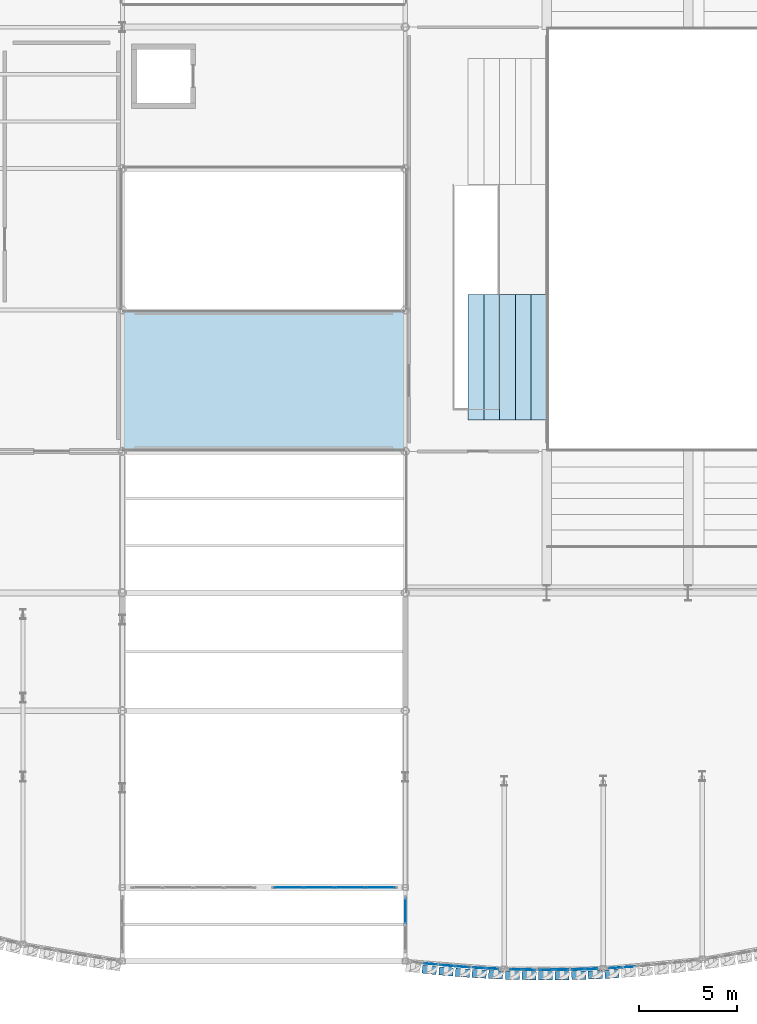
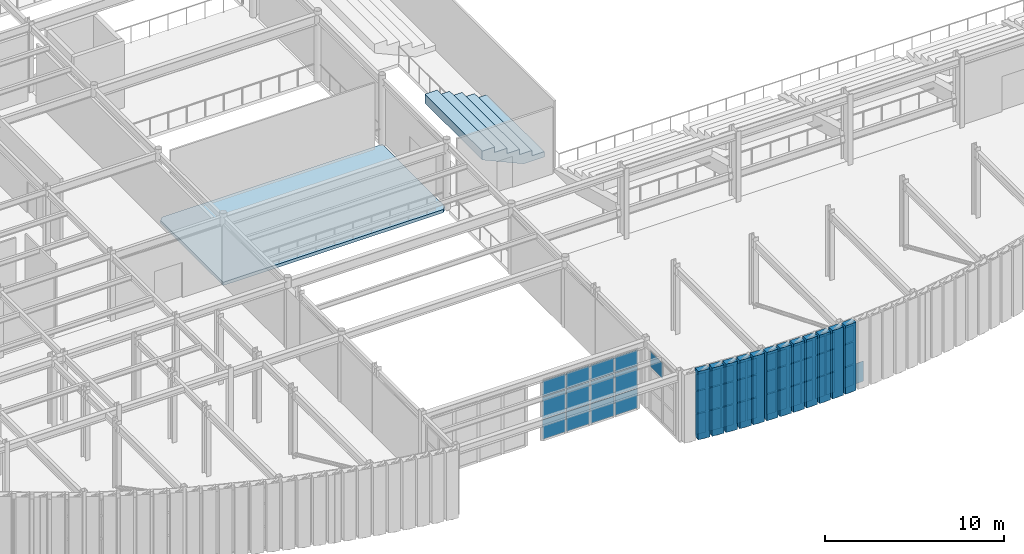
# One storey, part 83 of 121: 62 plates, 2 slabs, 9 elements without a shape of their own.
"""IFC4 building model written with IfcOpenShell, lengths in metres."""

from ifc_helpers import new_model, si_unit, direction, frame, origin, origin_2d, place, context, subcontext, project, spatial, polyline, rectangle, outline, extrude, material, layer, layer_set, type_object, element, aggregate, save


model = new_model("IFC4")

# Units and contexts
model_context = context("Model", 3, precision=1e-05, world=origin(), true_north=direction((0.0, 1.0)))
body_context = subcontext(model_context, "Body", "Model", "MODEL_VIEW")
ifc_project = project(units=[si_unit("LENGTHUNIT", "METRE"), si_unit("AREAUNIT", "SQUARE_METRE"), si_unit("VOLUMEUNIT", "CUBIC_METRE"), si_unit("PLANEANGLEUNIT", "RADIAN"), si_unit("MASSUNIT", "GRAM", prefix="KILO")], contexts=[model_context])

# Site, building, storey
site_placement = place(None, origin())
site = spatial("IfcSite", under=ifc_project, at=site_placement, CompositionType="ELEMENT")
building_placement = place(site_placement, origin())
building = spatial("IfcBuilding", under=site, at=building_placement, Name="Solvadek Multi-Sports Hall", CompositionType="ELEMENT")
storey_placement = place(building_placement, frame((0.0, 0.0, 4.800048828125)))
storey = spatial("IfcBuildingStorey", under=building, at=storey_placement, Name="L01", CompositionType="ELEMENT", Elevation=4.800048828125)

# Curtain wall, plates
ifc_material_1 = material(Name="Anodised aluminium", Category="aluminium")
ifc_layer_1 = layer(ifc_material_1, 0.159912109375, Name="Anodised aluminium")
ifc_layer_set_1 = layer_set([ifc_layer_1], Name="Anodised aluminium")
curtain_wall_type_1 = type_object("IfcCurtainWallType", Name="ENV-CW-142X420", PredefinedType="USERDEFINED", material=ifc_layer_set_1)
curtain_wall_1_placement = place(storey_placement, origin())
curtain_wall_1 = element("IfcCurtainWall", 1, at=curtain_wall_1_placement, inside=storey, type_object=curtain_wall_type_1, Name="L01 Crescent Curved Curtain Wall #55", ObjectType="CURTAIN WALL", PredefinedType="USERDEFINED")
ifc_material_2 = material(Name="Tempered laminated low-E glass", Category="glass")
ifc_layer_2 = layer(ifc_material_2, 0.02392578125, Name="Tempered laminated low-E glass")
ifc_layer_set_2 = layer_set([ifc_layer_2], Name="Tempered laminated low-E glass")
plate_type_1 = type_object("IfcPlateType", Name="ENV-CWP-01", PredefinedType="CURTAIN_PANEL", material=ifc_layer_set_2)
plate_1_placement = place(storey_placement, frame((87.682373046875, -12.893798828125, 0.06005859375), z_axis=(0.0, 0.0, 1.0), x_axis=(0.994010171032, -0.109287601694, 0.0)))
plate_1 = element("IfcPlate", 2, at=plate_1_placement, type_object=plate_type_1, Name="CW-27 panel 2.1", PredefinedType="CURTAIN_PANEL", context=body_context, shape_type="SweptSolid", body=[
    extrude(rectangle(XDim=0.6201171875, YDim=0.02392578125, at=origin_2d()), origin(), (0.0, 0.0, 1.0), 1.3798828125),
])
plate_2_placement = place(storey_placement, frame((87.682373046875, -12.893798828125, 1.5), z_axis=(0.0, 0.0, 1.0), x_axis=(0.994010171032, -0.109287601694, 0.0)))
plate_2 = element("IfcPlate", 3, at=plate_2_placement, type_object=plate_type_1, Name="CW-27 panel 2.2", PredefinedType="CURTAIN_PANEL", context=body_context, shape_type="SweptSolid", body=[
    extrude(rectangle(XDim=0.6201171875, YDim=0.02392578125, at=origin_2d()), origin(), (0.0, 0.0, 1.0), 1.493896484375),
])
plate_3_placement = place(storey_placement, frame((87.682373046875, -12.893798828125, 3.053955078125), z_axis=(0.0, 0.0, 1.0), x_axis=(0.994010171032, -0.109287601694, 0.0)))
plate_3 = element("IfcPlate", 4, at=plate_3_placement, type_object=plate_type_1, Name="CW-27 panel 2.3", PredefinedType="CURTAIN_PANEL", context=body_context, shape_type="SweptSolid", body=[
    extrude(rectangle(XDim=0.6201171875, YDim=0.02392578125, at=origin_2d()), origin(), (0.0, 0.0, 1.0), 1.0859375),
])
aggregate(curtain_wall_1, [plate_1, plate_2, plate_3])

ifc_layer_3 = layer(ifc_material_1, 0.159912109375, Name="Anodised aluminium")
ifc_layer_set_3 = layer_set([ifc_layer_3], Name="Anodised aluminium")
curtain_wall_type_2 = type_object("IfcCurtainWallType", Name="ENV-CW-141X420", PredefinedType="USERDEFINED", material=ifc_layer_set_3)
curtain_wall_2_placement = place(storey_placement, origin())
curtain_wall_2 = element("IfcCurtainWall", 5, at=curtain_wall_2_placement, inside=storey, type_object=curtain_wall_type_2, Name="L01 Crescent Curved Curtain Wall #67", ObjectType="CURTAIN WALL", PredefinedType="USERDEFINED")
plate_4_placement = place(storey_placement, frame((97.087158203125, -13.08984375, 0.06494140625), z_axis=(0.0, 0.0, 1.0), x_axis=(0.997952783049, 0.063955006096, 0.0)))
plate_4 = element("IfcPlate", 6, at=plate_4_placement, type_object=plate_type_1, Name="CW-28 panel 1.1", PredefinedType="CURTAIN_PANEL", context=body_context, shape_type="SweptSolid", body=[
    extrude(rectangle(XDim=0.61669921875, YDim=0.02392578125, at=origin_2d()), origin(), (0.0, 0.0, 1.0), 1.37255859375),
])
plate_5_placement = place(storey_placement, frame((97.087158203125, -13.08984375, 1.50244140625), z_axis=(0.0, 0.0, 1.0), x_axis=(0.997952783049, 0.063955006096, 0.0)))
plate_5 = element("IfcPlate", 7, at=plate_5_placement, type_object=plate_type_1, Name="CW-28 panel 1.2", PredefinedType="CURTAIN_PANEL", context=body_context, shape_type="SweptSolid", body=[
    extrude(rectangle(XDim=0.61669921875, YDim=0.02392578125, at=origin_2d()), origin(), (0.0, 0.0, 1.0), 1.489013671875),
])
plate_6_placement = place(storey_placement, frame((97.087158203125, -13.08984375, 3.056396484375), z_axis=(0.0, 0.0, 1.0), x_axis=(0.997952783049, 0.063955006096, 0.0)))
plate_6 = element("IfcPlate", 8, at=plate_6_placement, type_object=plate_type_1, Name="CW-28 panel 1.3", PredefinedType="CURTAIN_PANEL", context=body_context, shape_type="SweptSolid", body=[
    extrude(rectangle(XDim=0.61669921875, YDim=0.02392578125, at=origin_2d()), origin(), (0.0, 0.0, 1.0), 1.07861328125),
])
plate_7_placement = place(storey_placement, frame((97.762451171875, -13.046630859375, 0.06494140625), z_axis=(0.0, 0.0, 1.0), x_axis=(0.997952783049, 0.063955006096, 0.0)))
plate_7 = element("IfcPlate", 9, at=plate_7_placement, type_object=plate_type_1, Name="CW-28 panel 2.1", PredefinedType="CURTAIN_PANEL", context=body_context, shape_type="SweptSolid", body=[
    extrude(rectangle(XDim=0.61669921875, YDim=0.02392578125, at=origin_2d()), origin(), (0.0, 0.0, 1.0), 1.37255859375),
])
aggregate(curtain_wall_2, [plate_4, plate_5, plate_6, plate_7])

ifc_layer_4 = layer(ifc_material_1, 0.159912109375, Name="Anodised aluminium")
ifc_layer_set_4 = layer_set([ifc_layer_4], Name="Anodised aluminium")
curtain_wall_type_3 = type_object("IfcCurtainWallType", Name="ENV-CW-163X420", PredefinedType="USERDEFINED", material=ifc_layer_set_4)
curtain_wall_3_placement = place(storey_placement, origin())
curtain_wall_3 = element("IfcCurtainWall", 10, at=curtain_wall_3_placement, inside=storey, type_object=curtain_wall_type_3, Name="L01 Crescent Curved Curtain Wall #57", ObjectType="CURTAIN WALL", PredefinedType="USERDEFINED")
ifc_layer_5 = layer(ifc_material_2, 0.028076171875, Name="Tempered laminated low-E glass")
ifc_layer_set_5 = layer_set([ifc_layer_5], Name="Tempered laminated low-E glass")
plate_type_2 = type_object("IfcPlateType", Name="ENV-CWP-02", PredefinedType="CURTAIN_PANEL", material=ifc_layer_set_5)
plate_8_placement = place(storey_placement, frame((88.52978515625, -12.973876953125, 0.06005859375), z_axis=(0.0, 0.0, 1.0), x_axis=(0.996757114015, -0.080468973281, 0.0)))
plate_8 = element("IfcPlate", 11, at=plate_8_placement, type_object=plate_type_2, Name="CW-15 panel 1.1", PredefinedType="CURTAIN_PANEL", context=body_context, shape_type="SweptSolid", body=[
    extrude(rectangle(XDim=0.72265625, YDim=0.028076171875, at=origin_2d()), origin(), (0.0, 0.0, 1.0), 1.3798828125),
])
plate_9_placement = place(storey_placement, frame((88.52978515625, -12.973876953125, 1.5), z_axis=(0.0, 0.0, 1.0), x_axis=(0.996757114015, -0.080468973281, 0.0)))
plate_9 = element("IfcPlate", 12, at=plate_9_placement, type_object=plate_type_2, Name="CW-15 panel 1.2", PredefinedType="CURTAIN_PANEL", context=body_context, shape_type="SweptSolid", body=[
    extrude(rectangle(XDim=0.72265625, YDim=0.028076171875, at=origin_2d()), origin(), (0.0, 0.0, 1.0), 1.493896484375),
])
plate_10_placement = place(storey_placement, frame((88.52978515625, -12.973876953125, 3.053955078125), z_axis=(0.0, 0.0, 1.0), x_axis=(0.996757114015, -0.080468973281, 0.0)))
plate_10 = element("IfcPlate", 13, at=plate_10_placement, type_object=plate_type_2, Name="CW-15 panel 1.3", PredefinedType="CURTAIN_PANEL", context=body_context, shape_type="SweptSolid", body=[
    extrude(rectangle(XDim=0.72265625, YDim=0.028076171875, at=origin_2d()), origin(), (0.0, 0.0, 1.0), 1.0859375),
])
plate_11_placement = place(storey_placement, frame((89.31005859375, -13.036865234375, 0.06005859375), z_axis=(0.0, 0.0, 1.0), x_axis=(0.996757114015, -0.080468973281, 0.0)))
plate_11 = element("IfcPlate", 14, at=plate_11_placement, type_object=plate_type_2, Name="CW-15 panel 2.1", PredefinedType="CURTAIN_PANEL", context=body_context, shape_type="SweptSolid", body=[
    extrude(rectangle(XDim=0.72265625, YDim=0.028076171875, at=origin_2d()), origin(), (0.0, 0.0, 1.0), 1.3798828125),
])
plate_12_placement = place(storey_placement, frame((89.31005859375, -13.036865234375, 1.5), z_axis=(0.0, 0.0, 1.0), x_axis=(0.996757114015, -0.080468973281, 0.0)))
plate_12 = element("IfcPlate", 15, at=plate_12_placement, type_object=plate_type_2, Name="CW-15 panel 2.2", PredefinedType="CURTAIN_PANEL", context=body_context, shape_type="SweptSolid", body=[
    extrude(rectangle(XDim=0.72265625, YDim=0.028076171875, at=origin_2d()), origin(), (0.0, 0.0, 1.0), 1.493896484375),
])
plate_13_placement = place(storey_placement, frame((89.31005859375, -13.036865234375, 3.053955078125), z_axis=(0.0, 0.0, 1.0), x_axis=(0.996757114015, -0.080468973281, 0.0)))
plate_13 = element("IfcPlate", 16, at=plate_13_placement, type_object=plate_type_2, Name="CW-15 panel 2.3", PredefinedType="CURTAIN_PANEL", context=body_context, shape_type="SweptSolid", body=[
    extrude(rectangle(XDim=0.72265625, YDim=0.028076171875, at=origin_2d()), origin(), (0.0, 0.0, 1.0), 1.0859375),
])
aggregate(curtain_wall_3, [plate_8, plate_9, plate_10, plate_11, plate_12, plate_13])

# Curtain wall, plate
ifc_layer_6 = layer(ifc_material_1, 0.159912109375, Name="Anodised aluminium")
ifc_layer_set_6 = layer_set([ifc_layer_6], Name="Anodised aluminium")
curtain_wall_type_4 = type_object("IfcCurtainWallType", Name="ENV-CW-279X413", PredefinedType="USERDEFINED", material=ifc_layer_set_6)
curtain_wall_4_placement = place(storey_placement, origin())
curtain_wall_4 = element("IfcCurtainWall", 17, at=curtain_wall_4_placement, inside=storey, type_object=curtain_wall_type_4, Name="L01 Perimeter Bay Curtain Wall #122", ObjectType="CURTAIN WALL", PredefinedType="USERDEFINED")
plate_14_placement = place(storey_placement, frame((86.39990234375, -10.193115234375, 3.0), z_axis=(0.0, 0.0, 1.0), x_axis=(0.0, 1.0, 0.0)))
plate_14 = element("IfcPlate", 18, at=plate_14_placement, type_object=plate_type_2, Name="CW-41 panel 2.3", PredefinedType="CURTAIN_PANEL", context=body_context, shape_type="SweptSolid", body=[
    extrude(rectangle(XDim=1.306396484375, YDim=0.028076171875, at=origin_2d()), origin(), (0.0, 0.0, 1.0), 1.06494140625),
])
aggregate(curtain_wall_4, [plate_14])

# Curtain wall, plates
curtain_wall_5_placement = place(storey_placement, origin())
curtain_wall_5 = element("IfcCurtainWall", 19, at=curtain_wall_5_placement, inside=storey, type_object=curtain_wall_type_2, Name="L01 Crescent Curved Curtain Wall #59", ObjectType="CURTAIN WALL", PredefinedType="USERDEFINED")
ifc_layer_7 = layer(ifc_material_2, 0.031982421875, Name="Tempered laminated low-E glass")
ifc_layer_set_7 = layer_set([ifc_layer_7], Name="Tempered laminated low-E glass")
plate_type_3 = type_object("IfcPlateType", Name="ENV-CWP-03", PredefinedType="CURTAIN_PANEL", material=ifc_layer_set_7)
plate_15_placement = place(storey_placement, frame((90.15869140625, -13.09375, 0.06494140625), z_axis=(0.0, 0.0, 1.0), x_axis=(0.998670333038, -0.051551584948, 0.0)))
plate_15 = element("IfcPlate", 20, at=plate_15_placement, type_object=plate_type_3, Name="CW-28 panel 1.1", PredefinedType="CURTAIN_PANEL", context=body_context, shape_type="SweptSolid", body=[
    extrude(rectangle(XDim=0.608642578125, YDim=0.031982421875, at=origin_2d()), origin(), (0.0, 0.0, 1.0), 1.37255859375),
])
plate_16_placement = place(storey_placement, frame((90.15869140625, -13.09375, 1.50244140625), z_axis=(0.0, 0.0, 1.0), x_axis=(0.998670333038, -0.051551584948, 0.0)))
plate_16 = element("IfcPlate", 21, at=plate_16_placement, type_object=plate_type_3, Name="CW-28 panel 1.2", PredefinedType="CURTAIN_PANEL", context=body_context, shape_type="SweptSolid", body=[
    extrude(rectangle(XDim=0.608642578125, YDim=0.031982421875, at=origin_2d()), origin(), (0.0, 0.0, 1.0), 1.489013671875),
])
plate_17_placement = place(storey_placement, frame((90.15869140625, -13.09375, 3.056396484375), z_axis=(0.0, 0.0, 1.0), x_axis=(0.998670333038, -0.051551584948, 0.0)))
plate_17 = element("IfcPlate", 22, at=plate_17_placement, type_object=plate_type_3, Name="CW-28 panel 1.3", PredefinedType="CURTAIN_PANEL", context=body_context, shape_type="SweptSolid", body=[
    extrude(rectangle(XDim=0.608642578125, YDim=0.031982421875, at=origin_2d()), origin(), (0.0, 0.0, 1.0), 1.07861328125),
])
plate_18_placement = place(storey_placement, frame((90.83154296875, -13.12841796875, 0.06494140625), z_axis=(0.0, 0.0, 1.0), x_axis=(0.998670333038, -0.051551584948, 0.0)))
plate_18 = element("IfcPlate", 23, at=plate_18_placement, type_object=plate_type_3, Name="CW-28 panel 2.1", PredefinedType="CURTAIN_PANEL", context=body_context, shape_type="SweptSolid", body=[
    extrude(rectangle(XDim=0.608642578125, YDim=0.031982421875, at=origin_2d()), origin(), (0.0, 0.0, 1.0), 1.37255859375),
])
plate_19_placement = place(storey_placement, frame((90.83154296875, -13.12841796875, 1.50244140625), z_axis=(0.0, 0.0, 1.0), x_axis=(0.998670333038, -0.051551584948, 0.0)))
plate_19 = element("IfcPlate", 24, at=plate_19_placement, type_object=plate_type_3, Name="CW-28 panel 2.2", PredefinedType="CURTAIN_PANEL", context=body_context, shape_type="SweptSolid", body=[
    extrude(rectangle(XDim=0.608642578125, YDim=0.031982421875, at=origin_2d()), origin(), (0.0, 0.0, 1.0), 1.489013671875),
])
plate_20_placement = place(storey_placement, frame((90.83154296875, -13.12841796875, 3.056396484375), z_axis=(0.0, 0.0, 1.0), x_axis=(0.998670333038, -0.051551584948, 0.0)))
plate_20 = element("IfcPlate", 25, at=plate_20_placement, type_object=plate_type_3, Name="CW-28 panel 2.3", PredefinedType="CURTAIN_PANEL", context=body_context, shape_type="SweptSolid", body=[
    extrude(rectangle(XDim=0.608642578125, YDim=0.031982421875, at=origin_2d()), origin(), (0.0, 0.0, 1.0), 1.07861328125),
])
aggregate(curtain_wall_5, [plate_15, plate_16, plate_17, plate_18, plate_19, plate_20])

ifc_layer_8 = layer(ifc_material_1, 0.159912109375, Name="Anodised aluminium")
ifc_layer_set_8 = layer_set([ifc_layer_8], Name="Anodised aluminium")
curtain_wall_type_5 = type_object("IfcCurtainWallType", Name="ENV-CW-624X410", PredefinedType="USERDEFINED", material=ifc_layer_set_8)
curtain_wall_6_placement = place(storey_placement, origin())
curtain_wall_6 = element("IfcCurtainWall", 26, at=curtain_wall_6_placement, inside=storey, type_object=curtain_wall_type_5, Name="L01 Perimeter Bay Curtain Wall #118", ObjectType="CURTAIN WALL", PredefinedType="USERDEFINED")
plate_21_placement = place(storey_placement, frame((80.476318359375, -9.0, 0.06494140625), z_axis=(0.0, 0.0, 1.0), x_axis=(1.0, 0.0, 0.0)))
plate_21 = element("IfcPlate", 27, at=plate_21_placement, type_object=plate_type_3, Name="CW-39 panel 1.1", PredefinedType="CURTAIN_PANEL", context=body_context, shape_type="SweptSolid", body=[
    extrude(rectangle(XDim=1.46240234375, YDim=0.031982421875, at=origin_2d()), origin(), (0.0, 0.0, 1.0), 1.33740234375),
])
plate_22_placement = place(storey_placement, frame((80.476318359375, -9.0, 1.46728515625), z_axis=(0.0, 0.0, 1.0), x_axis=(1.0, 0.0, 0.0)))
plate_22 = element("IfcPlate", 28, at=plate_22_placement, type_object=plate_type_3, Name="CW-39 panel 1.2", PredefinedType="CURTAIN_PANEL", context=body_context, shape_type="SweptSolid", body=[
    extrude(rectangle(XDim=1.46240234375, YDim=0.031982421875, at=origin_2d()), origin(), (0.0, 0.0, 1.0), 1.451904296875),
])
plate_23_placement = place(storey_placement, frame((80.476318359375, -9.0, 2.984375), z_axis=(0.0, 0.0, 1.0), x_axis=(1.0, 0.0, 0.0)))
plate_23 = element("IfcPlate", 29, at=plate_23_placement, type_object=plate_type_3, Name="CW-39 panel 1.3", PredefinedType="CURTAIN_PANEL", context=body_context, shape_type="SweptSolid", body=[
    extrude(rectangle(XDim=1.46240234375, YDim=0.031982421875, at=origin_2d()), origin(), (0.0, 0.0, 1.0), 1.050537109375),
])
plate_24_placement = place(storey_placement, frame((82.02001953125, -9.0, 0.06494140625), z_axis=(0.0, 0.0, 1.0), x_axis=(1.0, 0.0, 0.0)))
plate_24 = element("IfcPlate", 30, at=plate_24_placement, type_object=plate_type_3, Name="CW-39 panel 2.1", PredefinedType="CURTAIN_PANEL", context=body_context, shape_type="SweptSolid", body=[
    extrude(rectangle(XDim=1.4951171875, YDim=0.031982421875, at=origin_2d()), origin(), (0.0, 0.0, 1.0), 1.33740234375),
])
plate_25_placement = place(storey_placement, frame((82.02001953125, -9.0, 1.46728515625), z_axis=(0.0, 0.0, 1.0), x_axis=(1.0, 0.0, 0.0)))
plate_25 = element("IfcPlate", 31, at=plate_25_placement, type_object=plate_type_3, Name="CW-39 panel 2.2", PredefinedType="CURTAIN_PANEL", context=body_context, shape_type="SweptSolid", body=[
    extrude(rectangle(XDim=1.4951171875, YDim=0.031982421875, at=origin_2d()), origin(), (0.0, 0.0, 1.0), 1.451904296875),
])
plate_26_placement = place(storey_placement, frame((82.02001953125, -9.0, 2.984375), z_axis=(0.0, 0.0, 1.0), x_axis=(1.0, 0.0, 0.0)))
plate_26 = element("IfcPlate", 32, at=plate_26_placement, type_object=plate_type_3, Name="CW-39 panel 2.3", PredefinedType="CURTAIN_PANEL", context=body_context, shape_type="SweptSolid", body=[
    extrude(rectangle(XDim=1.4951171875, YDim=0.031982421875, at=origin_2d()), origin(), (0.0, 0.0, 1.0), 1.050537109375),
])
plate_27_placement = place(storey_placement, frame((83.580078125, -9.0, 0.06494140625), z_axis=(0.0, 0.0, 1.0), x_axis=(1.0, 0.0, 0.0)))
plate_27 = element("IfcPlate", 33, at=plate_27_placement, type_object=plate_type_3, Name="CW-39 panel 3.1", PredefinedType="CURTAIN_PANEL", context=body_context, shape_type="SweptSolid", body=[
    extrude(rectangle(XDim=1.4951171875, YDim=0.031982421875, at=origin_2d()), origin(), (0.0, 0.0, 1.0), 1.33740234375),
])
plate_28_placement = place(storey_placement, frame((83.580078125, -9.0, 1.46728515625), z_axis=(0.0, 0.0, 1.0), x_axis=(1.0, 0.0, 0.0)))
plate_28 = element("IfcPlate", 34, at=plate_28_placement, type_object=plate_type_3, Name="CW-39 panel 3.2", PredefinedType="CURTAIN_PANEL", context=body_context, shape_type="SweptSolid", body=[
    extrude(rectangle(XDim=1.4951171875, YDim=0.031982421875, at=origin_2d()), origin(), (0.0, 0.0, 1.0), 1.451904296875),
])
plate_29_placement = place(storey_placement, frame((83.580078125, -9.0, 2.984375), z_axis=(0.0, 0.0, 1.0), x_axis=(1.0, 0.0, 0.0)))
plate_29 = element("IfcPlate", 35, at=plate_29_placement, type_object=plate_type_3, Name="CW-39 panel 3.3", PredefinedType="CURTAIN_PANEL", context=body_context, shape_type="SweptSolid", body=[
    extrude(rectangle(XDim=1.4951171875, YDim=0.031982421875, at=origin_2d()), origin(), (0.0, 0.0, 1.0), 1.050537109375),
])
plate_30_placement = place(storey_placement, frame((85.123779296875, -9.0, 0.06494140625), z_axis=(0.0, 0.0, 1.0), x_axis=(1.0, 0.0, 0.0)))
plate_30 = element("IfcPlate", 36, at=plate_30_placement, type_object=plate_type_3, Name="CW-39 panel 4.1", PredefinedType="CURTAIN_PANEL", context=body_context, shape_type="SweptSolid", body=[
    extrude(rectangle(XDim=1.46240234375, YDim=0.031982421875, at=origin_2d()), origin(), (0.0, 0.0, 1.0), 1.33740234375),
])
plate_31_placement = place(storey_placement, frame((85.123779296875, -9.0, 1.46728515625), z_axis=(0.0, 0.0, 1.0), x_axis=(1.0, 0.0, 0.0)))
plate_31 = element("IfcPlate", 37, at=plate_31_placement, type_object=plate_type_3, Name="CW-39 panel 4.2", PredefinedType="CURTAIN_PANEL", context=body_context, shape_type="SweptSolid", body=[
    extrude(rectangle(XDim=1.46240234375, YDim=0.031982421875, at=origin_2d()), origin(), (0.0, 0.0, 1.0), 1.451904296875),
])
plate_32_placement = place(storey_placement, frame((85.123779296875, -9.0, 2.984375), z_axis=(0.0, 0.0, 1.0), x_axis=(1.0, 0.0, 0.0)))
plate_32 = element("IfcPlate", 38, at=plate_32_placement, type_object=plate_type_3, Name="CW-39 panel 4.3", PredefinedType="CURTAIN_PANEL", context=body_context, shape_type="SweptSolid", body=[
    extrude(rectangle(XDim=1.46240234375, YDim=0.031982421875, at=origin_2d()), origin(), (0.0, 0.0, 1.0), 1.050537109375),
])
aggregate(curtain_wall_6, [plate_21, plate_22, plate_23, plate_24, plate_25, plate_26, plate_27, plate_28, plate_29, plate_30, plate_31, plate_32])

curtain_wall_7_placement = place(storey_placement, origin())
curtain_wall_7 = element("IfcCurtainWall", 39, at=curtain_wall_7_placement, inside=storey, type_object=curtain_wall_type_2, Name="L01 Crescent Curved Curtain Wall #61", ObjectType="CURTAIN WALL", PredefinedType="USERDEFINED")
ifc_layer_9 = layer(ifc_material_2, 0.035888671875, Name="Tempered laminated low-E glass")
ifc_layer_set_9 = layer_set([ifc_layer_9], Name="Tempered laminated low-E glass")
plate_type_4 = type_object("IfcPlateType", Name="ENV-CWP-04", PredefinedType="CURTAIN_PANEL", material=ifc_layer_set_9)
plate_33_placement = place(storey_placement, frame((92.048583984375, -13.173583984375, 0.06494140625), z_axis=(0.0, 0.0, 1.0), x_axis=(0.999742603622, -0.022687584801, 0.0)))
plate_33 = element("IfcPlate", 40, at=plate_33_placement, type_object=plate_type_4, Name="CW-28 panel 1.1", PredefinedType="CURTAIN_PANEL", context=body_context, shape_type="SweptSolid", body=[
    extrude(rectangle(XDim=0.607666015625, YDim=0.035888671875, at=origin_2d()), origin(), (0.0, 0.0, 1.0), 1.37255859375),
])
plate_34_placement = place(storey_placement, frame((92.048583984375, -13.173583984375, 1.50244140625), z_axis=(0.0, 0.0, 1.0), x_axis=(0.999742603622, -0.022687584801, 0.0)))
plate_34 = element("IfcPlate", 41, at=plate_34_placement, type_object=plate_type_4, Name="CW-28 panel 1.2", PredefinedType="CURTAIN_PANEL", context=body_context, shape_type="SweptSolid", body=[
    extrude(rectangle(XDim=0.607666015625, YDim=0.035888671875, at=origin_2d()), origin(), (0.0, 0.0, 1.0), 1.489013671875),
])
plate_35_placement = place(storey_placement, frame((92.048583984375, -13.173583984375, 3.056396484375), z_axis=(0.0, 0.0, 1.0), x_axis=(0.999742603622, -0.022687584801, 0.0)))
plate_35 = element("IfcPlate", 42, at=plate_35_placement, type_object=plate_type_4, Name="CW-28 panel 1.3", PredefinedType="CURTAIN_PANEL", context=body_context, shape_type="SweptSolid", body=[
    extrude(rectangle(XDim=0.607666015625, YDim=0.035888671875, at=origin_2d()), origin(), (0.0, 0.0, 1.0), 1.07861328125),
])
plate_36_placement = place(storey_placement, frame((92.72119140625, -13.18896484375, 0.06494140625), z_axis=(0.0, 0.0, 1.0), x_axis=(0.999742603622, -0.022687584801, 0.0)))
plate_36 = element("IfcPlate", 43, at=plate_36_placement, type_object=plate_type_4, Name="CW-28 panel 2.1", PredefinedType="CURTAIN_PANEL", context=body_context, shape_type="SweptSolid", body=[
    extrude(rectangle(XDim=0.607666015625, YDim=0.035888671875, at=origin_2d()), origin(), (0.0, 0.0, 1.0), 1.37255859375),
])
plate_37_placement = place(storey_placement, frame((92.72119140625, -13.18896484375, 1.50244140625), z_axis=(0.0, 0.0, 1.0), x_axis=(0.999742603622, -0.022687584801, 0.0)))
plate_37 = element("IfcPlate", 44, at=plate_37_placement, type_object=plate_type_4, Name="CW-28 panel 2.2", PredefinedType="CURTAIN_PANEL", context=body_context, shape_type="SweptSolid", body=[
    extrude(rectangle(XDim=0.607666015625, YDim=0.035888671875, at=origin_2d()), origin(), (0.0, 0.0, 1.0), 1.489013671875),
])
plate_38_placement = place(storey_placement, frame((92.72119140625, -13.18896484375, 3.056396484375), z_axis=(0.0, 0.0, 1.0), x_axis=(0.999742603622, -0.022687584801, 0.0)))
plate_38 = element("IfcPlate", 45, at=plate_38_placement, type_object=plate_type_4, Name="CW-28 panel 2.3", PredefinedType="CURTAIN_PANEL", context=body_context, shape_type="SweptSolid", body=[
    extrude(rectangle(XDim=0.607666015625, YDim=0.035888671875, at=origin_2d()), origin(), (0.0, 0.0, 1.0), 1.07861328125),
])
aggregate(curtain_wall_7, [plate_33, plate_34, plate_35, plate_36, plate_37, plate_38])

ifc_layer_10 = layer(ifc_material_1, 0.159912109375, Name="Anodised aluminium")
ifc_layer_set_10 = layer_set([ifc_layer_10], Name="Anodised aluminium")
curtain_wall_type_6 = type_object("IfcCurtainWallType", Name="ENV-CW-162X420", PredefinedType="USERDEFINED", material=ifc_layer_set_10)
curtain_wall_8_placement = place(storey_placement, origin())
curtain_wall_8 = element("IfcCurtainWall", 46, at=curtain_wall_8_placement, inside=storey, type_object=curtain_wall_type_6, Name="L01 Crescent Curved Curtain Wall #63", ObjectType="CURTAIN WALL", PredefinedType="USERDEFINED")
ifc_layer_11 = layer(ifc_material_2, 0.0419921875, Name="Tempered laminated low-E glass")
ifc_layer_set_11 = layer_set([ifc_layer_11], Name="Tempered laminated low-E glass")
plate_type_5 = type_object("IfcPlateType", Name="ENV-CWP-05", PredefinedType="CURTAIN_PANEL", material=ifc_layer_set_11)
plate_39_placement = place(storey_placement, frame((93.572509765625, -13.1953125, 0.06005859375), z_axis=(0.0, 0.0, 1.0), x_axis=(0.999980948571, 0.0061727219, 0.0)))
plate_39 = element("IfcPlate", 47, at=plate_39_placement, type_object=plate_type_5, Name="CW-29 panel 1.1", PredefinedType="CURTAIN_PANEL", context=body_context, shape_type="SweptSolid", body=[
    extrude(rectangle(XDim=0.705078125, YDim=0.0419921875, at=origin_2d()), origin(), (0.0, 0.0, 1.0), 1.3798828125),
])
plate_40_placement = place(storey_placement, frame((93.572509765625, -13.1953125, 1.5), z_axis=(0.0, 0.0, 1.0), x_axis=(0.999980948571, 0.0061727219, 0.0)))
plate_40 = element("IfcPlate", 48, at=plate_40_placement, type_object=plate_type_5, Name="CW-29 panel 1.2", PredefinedType="CURTAIN_PANEL", context=body_context, shape_type="SweptSolid", body=[
    extrude(rectangle(XDim=0.705078125, YDim=0.0419921875, at=origin_2d()), origin(), (0.0, 0.0, 1.0), 1.493896484375),
])
plate_41_placement = place(storey_placement, frame((93.572509765625, -13.1953125, 3.053955078125), z_axis=(0.0, 0.0, 1.0), x_axis=(0.999980948571, 0.0061727219, 0.0)))
plate_41 = element("IfcPlate", 49, at=plate_41_placement, type_object=plate_type_5, Name="CW-29 panel 1.3", PredefinedType="CURTAIN_PANEL", context=body_context, shape_type="SweptSolid", body=[
    extrude(rectangle(XDim=0.705078125, YDim=0.0419921875, at=origin_2d()), origin(), (0.0, 0.0, 1.0), 1.0859375),
])
plate_42_placement = place(storey_placement, frame((94.347412109375, -13.1904296875, 0.06005859375), z_axis=(0.0, 0.0, 1.0), x_axis=(0.999980948571, 0.0061727219, 0.0)))
plate_42 = element("IfcPlate", 50, at=plate_42_placement, type_object=plate_type_5, Name="CW-29 panel 2.1", PredefinedType="CURTAIN_PANEL", context=body_context, shape_type="SweptSolid", body=[
    extrude(rectangle(XDim=0.705078125, YDim=0.0419921875, at=origin_2d()), origin(), (0.0, 0.0, 1.0), 1.3798828125),
])
plate_43_placement = place(storey_placement, frame((94.347412109375, -13.1904296875, 1.5), z_axis=(0.0, 0.0, 1.0), x_axis=(0.999980948571, 0.0061727219, 0.0)))
plate_43 = element("IfcPlate", 51, at=plate_43_placement, type_object=plate_type_5, Name="CW-29 panel 2.2", PredefinedType="CURTAIN_PANEL", context=body_context, shape_type="SweptSolid", body=[
    extrude(rectangle(XDim=0.705078125, YDim=0.0419921875, at=origin_2d()), origin(), (0.0, 0.0, 1.0), 1.493896484375),
])
plate_44_placement = place(storey_placement, frame((94.347412109375, -13.1904296875, 3.053955078125), z_axis=(0.0, 0.0, 1.0), x_axis=(0.999980948571, 0.0061727219, 0.0)))
plate_44 = element("IfcPlate", 52, at=plate_44_placement, type_object=plate_type_5, Name="CW-29 panel 2.3", PredefinedType="CURTAIN_PANEL", context=body_context, shape_type="SweptSolid", body=[
    extrude(rectangle(XDim=0.705078125, YDim=0.0419921875, at=origin_2d()), origin(), (0.0, 0.0, 1.0), 1.0859375),
])
aggregate(curtain_wall_8, [plate_39, plate_40, plate_41, plate_42, plate_43, plate_44])

curtain_wall_9_placement = place(storey_placement, origin())
curtain_wall_9 = element("IfcCurtainWall", 53, at=curtain_wall_9_placement, inside=storey, type_object=curtain_wall_type_2, Name="L01 Crescent Curved Curtain Wall #65", ObjectType="CURTAIN WALL", PredefinedType="USERDEFINED")
ifc_layer_12 = layer(ifc_material_2, 0.048095703125, Name="Tempered laminated low-E glass")
ifc_layer_set_12 = layer_set([ifc_layer_12], Name="Tempered laminated low-E glass")
plate_type_6 = type_object("IfcPlateType", Name="ENV-CWP-06", PredefinedType="CURTAIN_PANEL", material=ifc_layer_set_12)
plate_45_placement = place(storey_placement, frame((95.197509765625, -13.173583984375, 0.06005859375), z_axis=(0.0, 0.0, 1.0), x_axis=(0.999386909564, 0.035011498004, 0.0)))
plate_45 = element("IfcPlate", 54, at=plate_45_placement, type_object=plate_type_6, Name="CW-28 panel 1.1", PredefinedType="CURTAIN_PANEL", context=body_context, shape_type="SweptSolid", body=[
    extrude(rectangle(XDim=0.615478515625, YDim=0.048095703125, at=origin_2d()), origin(), (0.0, 0.0, 1.0), 1.3798828125),
])
plate_46_placement = place(storey_placement, frame((95.197509765625, -13.173583984375, 1.5), z_axis=(0.0, 0.0, 1.0), x_axis=(0.999386909564, 0.035011498004, 0.0)))
plate_46 = element("IfcPlate", 55, at=plate_46_placement, type_object=plate_type_6, Name="CW-28 panel 1.2", PredefinedType="CURTAIN_PANEL", context=body_context, shape_type="SweptSolid", body=[
    extrude(rectangle(XDim=0.615478515625, YDim=0.048095703125, at=origin_2d()), origin(), (0.0, 0.0, 1.0), 1.493896484375),
])
plate_47_placement = place(storey_placement, frame((95.197509765625, -13.173583984375, 3.053955078125), z_axis=(0.0, 0.0, 1.0), x_axis=(0.999386909564, 0.035011498004, 0.0)))
plate_47 = element("IfcPlate", 56, at=plate_47_placement, type_object=plate_type_6, Name="CW-28 panel 1.3", PredefinedType="CURTAIN_PANEL", context=body_context, shape_type="SweptSolid", body=[
    extrude(rectangle(XDim=0.615478515625, YDim=0.048095703125, at=origin_2d()), origin(), (0.0, 0.0, 1.0), 1.0859375),
])
plate_48_placement = place(storey_placement, frame((95.87255859375, -13.14990234375, 0.06005859375), z_axis=(0.0, 0.0, 1.0), x_axis=(0.999386909564, 0.035011498004, 0.0)))
plate_48 = element("IfcPlate", 57, at=plate_48_placement, type_object=plate_type_6, Name="CW-28 panel 2.1", PredefinedType="CURTAIN_PANEL", context=body_context, shape_type="SweptSolid", body=[
    extrude(rectangle(XDim=0.615478515625, YDim=0.048095703125, at=origin_2d()), origin(), (0.0, 0.0, 1.0), 1.3798828125),
])
plate_49_placement = place(storey_placement, frame((95.87255859375, -13.14990234375, 1.5), z_axis=(0.0, 0.0, 1.0), x_axis=(0.999386909564, 0.035011498004, 0.0)))
plate_49 = element("IfcPlate", 58, at=plate_49_placement, type_object=plate_type_6, Name="CW-28 panel 2.2", PredefinedType="CURTAIN_PANEL", context=body_context, shape_type="SweptSolid", body=[
    extrude(rectangle(XDim=0.615478515625, YDim=0.048095703125, at=origin_2d()), origin(), (0.0, 0.0, 1.0), 1.493896484375),
])
plate_50_placement = place(storey_placement, frame((95.87255859375, -13.14990234375, 3.053955078125), z_axis=(0.0, 0.0, 1.0), x_axis=(0.999386909564, 0.035011498004, 0.0)))
plate_50 = element("IfcPlate", 59, at=plate_50_placement, type_object=plate_type_6, Name="CW-28 panel 2.3", PredefinedType="CURTAIN_PANEL", context=body_context, shape_type="SweptSolid", body=[
    extrude(rectangle(XDim=0.615478515625, YDim=0.048095703125, at=origin_2d()), origin(), (0.0, 0.0, 1.0), 1.0859375),
])
aggregate(curtain_wall_9, [plate_45, plate_46, plate_47, plate_48, plate_49, plate_50])

# Plates
ifc_material_3 = material(Name="Perforated champagne-bronze anodised aluminium", Category="aluminium")
ifc_layer_13 = layer(ifc_material_3, 0.419921875, Name="Perforated champagne-bronze anodised aluminium")
ifc_layer_set_13 = layer_set([ifc_layer_13], Name="Perforated champagne-bronze anodised aluminium")
plate_type_7 = type_object("IfcPlateType", Name="ENV-FLT-440", PredefinedType="USERDEFINED", material=ifc_layer_set_13)
for number, where, z_axis, x_axis, name in (
    (60, (87.627197265625, -13.189697265625, 0.0400390625), (0.0, 0.0, 1.0), (0.99401078481, -0.109282019021, 0.0), "L01 Half-Cylinder Colonnade Flute #110"),
    (61, (88.475830078125, -13.2705078125, 0.0400390625), (0.0, 0.0, 1.0), (0.996758432085, -0.080452644873, 0.0), "L01 Half-Cylinder Colonnade Flute #113"),
    (62, (89.31591796875, -13.33837890625, 0.0400390625), (0.0, 0.0, 1.0), (0.996758432085, -0.080452644873, 0.0), "L01 Half-Cylinder Colonnade Flute #114"),
    (63, (90.16455078125, -13.39453125, 0.0400390625), (0.0, 0.0, 1.0), (0.998671005445, -0.051538557245, 0.0), "L01 Half-Cylinder Colonnade Flute #117"),
    (64, (91.004638671875, -13.437744140625, 0.0400390625), (0.0, 0.0, 1.0), (0.998671005445, -0.051538557245, 0.0), "L01 Half-Cylinder Colonnade Flute #118"),
    (65, (91.853271484375, -13.46923828125, 0.0400390625), (0.0, 0.0, 1.0), (0.999742940353, -0.02267274168, 0.0), "L01 Half-Cylinder Colonnade Flute #121"),
    (66, (92.693115234375, -13.48828125, 0.0400390625), (0.0, 0.0, 1.0), (0.999742940353, -0.02267274168, 0.0), "L01 Half-Cylinder Colonnade Flute #122"),
    (67, (93.541748046875, -13.495361328125, 0.0400390625), (0.0, 0.0, 1.0), (0.999980839553, 0.006190357575, 0.0), "L01 Half-Cylinder Colonnade Flute #125"),
    (68, (94.3818359375, -13.490234375, 0.0400390625), (0.0, 0.0, 1.0), (0.999980839553, 0.006190357575, 0.0), "L01 Half-Cylinder Colonnade Flute #126"),
    (69, (95.23046875, -13.47265625, 0.0400390625), (0.0, 0.0, 1.0), (0.999385980888, 0.035037996585, 0.0), "L01 Half-Cylinder Colonnade Flute #129"),
    (70, (96.070556640625, -13.443359375, 0.0400390625), (0.0, 0.0, 1.0), (0.999385980888, 0.035037996585, 0.0), "L01 Half-Cylinder Colonnade Flute #130"),
    (71, (96.919189453125, -13.401123046875, 0.0400390625), (0.0, 0.0, 1.0), (0.997955239955, 0.063916657037, 0.0), "L01 Half-Cylinder Colonnade Flute #133"),
):
    element("IfcPlate", number, at=place(storey_placement, frame(where, z_axis=z_axis, x_axis=x_axis)), inside=storey, type_object=plate_type_7, Name=name, ObjectType="FLANGED_SHEET", PredefinedType="USERDEFINED", context=body_context, shape_type="SweptSolid", body=[
        extrude(rectangle(XDim=0.719970703125, YDim=0.419921875, at=origin_2d()), origin(), (0.0, 0.0, 1.0), 4.64990234375),
    ])

# Slabs
ifc_material_4 = material(Name="Concrete M35", Category="concrete")
ifc_layer_14 = layer(ifc_material_4, 0.199951171875, Name="Concrete M35")
ifc_layer_set_14 = layer_set([ifc_layer_14], Name="Concrete M35")
slab_type_1 = type_object("IfcSlabType", Name="STR-SLB-FLR200", PredefinedType="FLOOR", material=ifc_layer_set_14)
slab_1_placement = place(storey_placement, frame((0.0, 0.0, -0.219970703125)))
element("IfcSlab", 72, at=slab_1_placement, inside=storey, type_object=slab_type_1, Name="L01 First Floor Concourse Slab #61", PredefinedType="FLOOR", context=body_context, shape_type="SweptSolid", body=[
    extrude(outline(polyline([(72.0, 13.419921875), (72.0, 20.179931640625), (72.219970703125, 20.39990234375), (86.39990234375, 20.39990234375), (86.39990234375, 13.419921875), (86.179931640625, 13.199951171875), (72.0, 13.199951171875), (72.0, 13.419921875)])), origin(), (0.0, 0.0, 1.0), 0.219970703125),
])
ifc_material_5 = material(Name="Precast concrete M40", Category="concrete")
ifc_layer_15 = layer(ifc_material_5, 0.219970703125, Name="Precast concrete M40")
ifc_layer_set_15 = layer_set([ifc_layer_15], Name="Precast concrete M40")
slab_type_2 = type_object("IfcSlabType", Name="STR-SLB-TIER220", PredefinedType="USERDEFINED", material=ifc_layer_set_15)
slab_2_placement = place(storey_placement, frame((93.60009765625, 18.0, 0.0), z_axis=(0.0, 0.0, 1.0), x_axis=(-1.0, 0.0, 0.0)))
element("IfcSlab", 73, at=slab_2_placement, inside=storey, type_object=slab_type_2, Name="L01 West Spectator Seating Tier #11", ObjectType="SEATING TIER", PredefinedType="USERDEFINED", context=body_context, shape_type="SweptSolid", body=[
    extrude(outline(polyline([(0.0, 0.0), (0.0, 0.360107421875), (0.800048828125, 0.360107421875), (0.800048828125, 0.719970703125), (1.60009765625, 0.719970703125), (1.60009765625, 1.080078125), (2.39990234375, 1.080078125), (2.39990234375, 1.43994140625), (3.199951171875, 1.43994140625), (3.199951171875, 1.800048828125), (4.0, 1.800048828125), (4.0, 1.19873046875), (1.3359375, 0.0), (0.0, 0.0)])), frame((0.0, 3.199951171875, 0.0), z_axis=(0.0, -1.0, 0.0), x_axis=(1.0, 0.0, 0.0)), (0.0, 0.0, 1.0), 6.39990234375),
])

save(model, "model.ifc")
